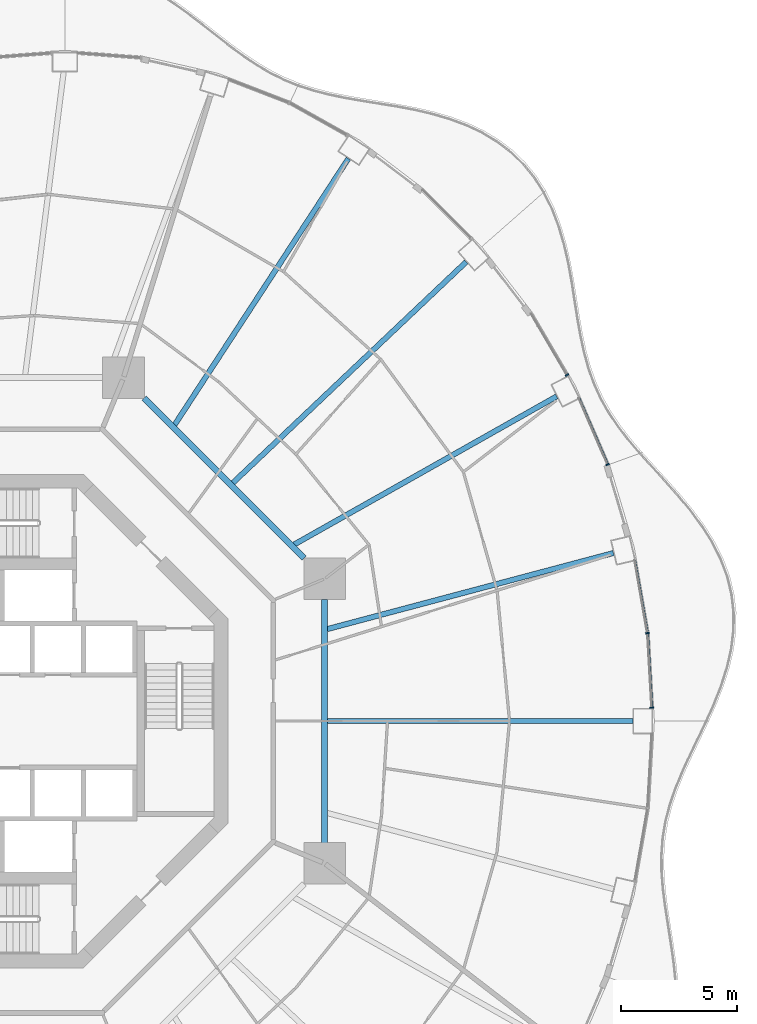
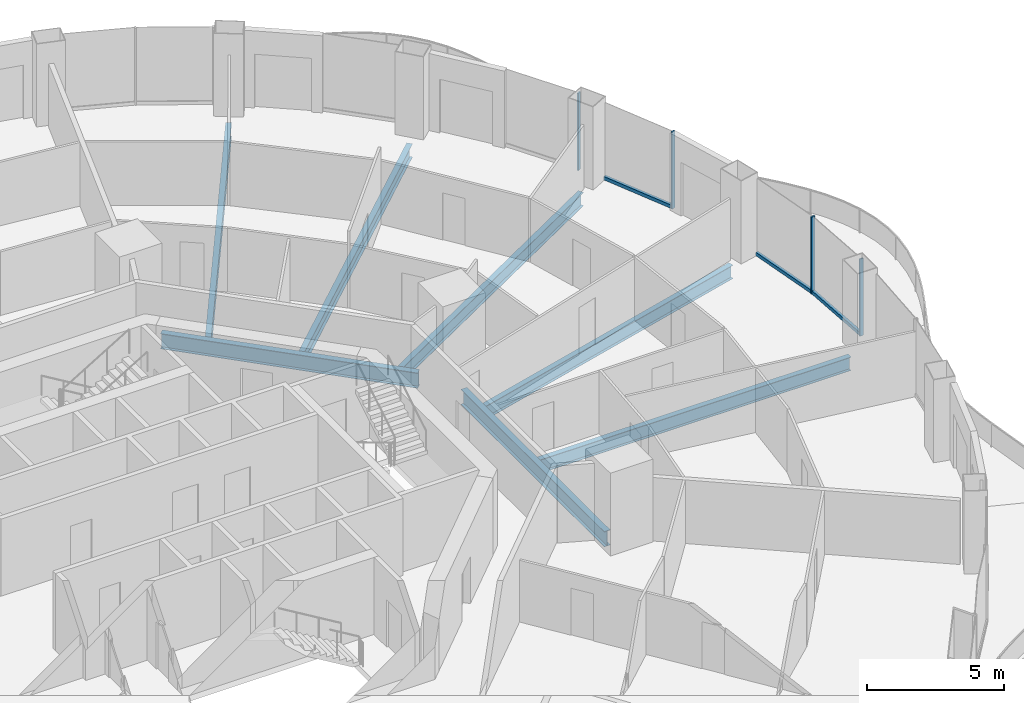
# One storey, part 8 of 20: 7 beams, 7 members, 4 elements without a shape of their own.
"""IFC4 building model written with IfcOpenShell, lengths in metres."""

from ifc_helpers import new_model, si_unit, direction, frame, origin, origin_2d, place, context, subcontext, project, spatial, rectangle, i_section, extrude, material, layer, layer_set, material_profile, profile_set, type_object, element, aggregate, save


model = new_model("IFC4")

# Units and contexts
model_context = context("Model", 3, precision=1e-05, world=origin(), true_north=direction((0.0, 1.0)))
body_context = subcontext(model_context, "Body", "Model", "MODEL_VIEW")
ifc_project = project(units=[si_unit("LENGTHUNIT", "METRE"), si_unit("AREAUNIT", "SQUARE_METRE"), si_unit("VOLUMEUNIT", "CUBIC_METRE"), si_unit("PLANEANGLEUNIT", "RADIAN"), si_unit("MASSUNIT", "GRAM", prefix="KILO")], contexts=[model_context])

# Site, building, storey
site_placement = place(None, origin())
site = spatial("IfcSite", under=ifc_project, at=site_placement, CompositionType="ELEMENT")
building_placement = place(site_placement, origin())
building = spatial("IfcBuilding", under=site, at=building_placement, Name="Nagisa Residences", CompositionType="ELEMENT")
storey_placement = place(building_placement, frame((0.0, 0.0, 165.89990234375)))
storey = spatial("IfcBuildingStorey", under=building, at=storey_placement, Name="L41", CompositionType="ELEMENT", Elevation=165.89990234375)

# Curtain wall, member
ifc_material_1 = material(Name="Concrete-coloured aluminium curtain wall system", Category="concrete")
ifc_layer = layer(ifc_material_1, 0.159912109375)
ifc_layer_set = layer_set([ifc_layer], Name="CW1 CURTAIN WALL")
curtain_wall_type = type_object("IfcCurtainWallType", Name="CW1 CURTAIN WALL", PredefinedType="NOTDEFINED", material=ifc_layer_set)
curtain_wall_1_placement = place(storey_placement, origin())
curtain_wall_1 = element("IfcCurtainWall", 1, at=curtain_wall_1_placement, inside=storey, type_object=curtain_wall_type, Name="cw:CW1:L41:00", PredefinedType="NOTDEFINED")
ifc_material_2 = material(Name="Concrete-coloured aluminium", Category="concrete")
ifc_material_profile_1 = material_profile(ifc_material_2, rectangle(XDim=0.159912109375, YDim=0.06005859375, at=origin_2d()), Name="CW1 MULLION 160x60")
ifc_profile_set_1 = profile_set([ifc_material_profile_1], Name="Concrete-coloured aluminium")
member_type_1 = type_object("IfcMemberType", Name="CW1 MULLION 160x60", PredefinedType="MULLION", material=ifc_profile_set_1)
member_1_placement = place(storey_placement, frame((28.86181640625, 0.574462890625, 0.0), z_axis=(0.0, 0.0, 1.0), x_axis=(-0.998345305184, -0.057503492216, 0.0)))
member_1 = element("IfcMember", 2, at=member_1_placement, type_object=member_type_1, Name="CW1 mullion", PredefinedType="MULLION", context=body_context, shape_type="SweptSolid", body=[
    extrude(rectangle(XDim=0.159912109375, YDim=0.06005859375, at=origin_2d()), origin(), (0.0, 0.0, 1.0), 3.440185546875),
])

curtain_wall_2_placement = place(storey_placement, origin())
curtain_wall_2 = element("IfcCurtainWall", 3, at=curtain_wall_2_placement, inside=storey, type_object=curtain_wall_type, Name="cw:CW1:L41:01", PredefinedType="NOTDEFINED")
member_2_placement = place(storey_placement, frame((28.673828125, 3.78466796875, 0.0), z_axis=(0.0, 0.0, 1.0), x_axis=(-0.985063604377, -0.172190868898, 0.0)))
member_2 = element("IfcMember", 4, at=member_2_placement, type_object=member_type_1, Name="CW1 mullion", PredefinedType="MULLION", context=body_context, shape_type="SweptSolid", body=[
    extrude(rectangle(XDim=0.159912109375, YDim=0.06005859375, at=origin_2d()), origin(), (0.0, 0.0, 1.0), 3.440185546875),
])

curtain_wall_3_placement = place(storey_placement, origin())
curtain_wall_3 = element("IfcCurtainWall", 5, at=curtain_wall_3_placement, inside=storey, type_object=curtain_wall_type, Name="cw:CW1:L41:03", PredefinedType="NOTDEFINED")
member_3_placement = place(storey_placement, frame((26.9580078125, 11.045654296875, 0.0), z_axis=(0.0, 0.0, 1.0), x_axis=(-0.917543276295, -0.397635934147, 0.0)))
member_3 = element("IfcMember", 6, at=member_3_placement, type_object=member_type_1, Name="CW1 mullion", PredefinedType="MULLION", context=body_context, shape_type="SweptSolid", body=[
    extrude(rectangle(XDim=0.159912109375, YDim=0.06005859375, at=origin_2d()), origin(), (0.0, 0.0, 1.0), 3.440185546875),
])

curtain_wall_4_placement = place(storey_placement, origin())
curtain_wall_4 = element("IfcCurtainWall", 7, at=curtain_wall_4_placement, inside=storey, type_object=curtain_wall_type, Name="cw:CW1:L41:04", PredefinedType="NOTDEFINED")
member_4_placement = place(storey_placement, frame((25.212646484375, 14.897216796875, 0.0), z_axis=(0.0, 0.0, 1.0), x_axis=(-0.862328898214, -0.506348567002, 0.0)))
member_4 = element("IfcMember", 8, at=member_4_placement, type_object=member_type_1, Name="CW1 mullion", PredefinedType="MULLION", context=body_context, shape_type="SweptSolid", body=[
    extrude(rectangle(XDim=0.159912109375, YDim=0.06005859375, at=origin_2d()), origin(), (0.0, 0.0, 1.0), 3.440185546875),
])
aggregate(curtain_wall_4, [member_4])

# Member
ifc_material_3 = material(Name="Concrete-coloured aluminium", Category="concrete")
ifc_material_profile_2 = material_profile(ifc_material_3, rectangle(XDim=0.1201171875, YDim=0.14990234375, at=origin_2d()), Name="CW1 TRANSOM 120x150")
ifc_profile_set_2 = profile_set([ifc_material_profile_2], Name="Concrete-coloured aluminium")
member_type_2 = type_object("IfcMemberType", Name="CW1 TRANSOM 120x150", PredefinedType="USERDEFINED", material=ifc_profile_set_2)
member_5_placement = place(storey_placement, frame((28.863525390625, 0.54443359375, 0.0751953125), z_axis=(-0.057528345118, 0.998343873376, 0.0), x_axis=(-0.998343873376, -0.057528345118, 0.0)))
member_5 = element("IfcMember", 9, at=member_5_placement, type_object=member_type_2, Name="CW1 transom", ObjectType="TRANSOM", PredefinedType="USERDEFINED", context=body_context, shape_type="SweptSolid", body=[
    extrude(rectangle(XDim=0.1201171875, YDim=0.14990234375, at=origin_2d()), origin(), (0.0, 0.0, 1.0), 3.225341796875),
])

aggregate(curtain_wall_1, [member_1, member_5])

member_6_placement = place(storey_placement, frame((28.67919921875, 3.755126953125, 0.0751953125), z_axis=(-0.172236453102, 0.98505563509, 0.0), x_axis=(-0.98505563509, -0.172236453102, 0.0)))
member_6 = element("IfcMember", 10, at=member_6_placement, type_object=member_type_2, Name="CW1 transom", ObjectType="TRANSOM", PredefinedType="USERDEFINED", context=body_context, shape_type="SweptSolid", body=[
    extrude(rectangle(XDim=0.1201171875, YDim=0.14990234375, at=origin_2d()), origin(), (0.0, 0.0, 1.0), 3.210693359375),
])

aggregate(curtain_wall_2, [member_2, member_6])

member_7_placement = place(storey_placement, frame((26.969970703125, 11.01806640625, 0.0751953125), z_axis=(-0.397592173732, 0.917562239517, 0.0), x_axis=(-0.917562239517, -0.397592173732, 0.0)))
member_7 = element("IfcMember", 11, at=member_7_placement, type_object=member_type_2, Name="CW1 transom", ObjectType="TRANSOM", PredefinedType="USERDEFINED", context=body_context, shape_type="SweptSolid", body=[
    extrude(rectangle(XDim=0.1201171875, YDim=0.14990234375, at=origin_2d()), origin(), (0.0, 0.0, 1.0), 3.14208984375),
])

aggregate(curtain_wall_3, [member_3, member_7])

# Beams
ifc_material_4 = material(Name="Steel ASTM A572 Gr 50", Category="steel")
ifc_material_profile_3 = material_profile(ifc_material_4, i_section(OverallWidth=0.25390625, OverallDepth=0.68408203125, WebThickness=0.012451171875, FlangeThickness=0.018798828125, at=origin_2d()), Name="W690x140")
ifc_profile_set_3 = profile_set([ifc_material_profile_3], Name="Steel ASTM A572 Gr 50")
beam_type_1 = type_object("IfcBeamType", Name="Inner ring beam W690x140", PredefinedType="BEAM", material=ifc_profile_set_3)
beam_1_placement = place(storey_placement, frame((13.896240234375, 7.0087890625, -0.601806640625), z_axis=(-0.707106781187, 0.707106781187, 0.0), x_axis=(-0.707106781187, -0.707106781187, 0.0)))
element("IfcBeam", 12, at=beam_1_placement, inside=storey, type_object=beam_type_1, Name="beam:L41:ib1", PredefinedType="BEAM", context=body_context, shape_type="SweptSolid", body=[
    extrude(i_section(OverallWidth=0.25390625, OverallDepth=0.68408203125, WebThickness=0.012451171875, FlangeThickness=0.018798828125, at=origin_2d()), origin(), (0.0, 0.0, 1.0), 9.740234375),
])
beam_2_placement = place(storey_placement, frame((14.781982421875, -5.242919921875, -0.601806640625), z_axis=(0.0, 1.0, 0.0), x_axis=(-1.0, 0.0, 0.0)))
element("IfcBeam", 13, at=beam_2_placement, inside=storey, type_object=beam_type_1, Name="beam:L41:ib8", PredefinedType="BEAM", context=body_context, shape_type="SweptSolid", body=[
    extrude(i_section(OverallWidth=0.25390625, OverallDepth=0.68408203125, WebThickness=0.012451171875, FlangeThickness=0.018798828125, at=origin_2d()), origin(), (0.0, 0.0, 1.0), 10.48583984375),
])
ifc_material_5 = material(Name="Steel ASTM A572 Gr 50", Category="steel")
ifc_material_profile_4 = material_profile(ifc_material_5, i_section(OverallWidth=0.22802734375, OverallDepth=0.60302734375, WebThickness=0.010498046875, FlangeThickness=0.014892578125, at=origin_2d()), Name="W610x101")
ifc_profile_set_4 = profile_set([ifc_material_profile_4], Name="Steel ASTM A572 Gr 50")
beam_type_2 = type_object("IfcBeamType", Name="Radial beam W610x101", PredefinedType="BEAM", material=ifc_profile_set_4)
beam_3_placement = place(storey_placement, frame((28.044921875, 0.0, -0.5615234375), z_axis=(-1.0, 0.0, 0.0), x_axis=(0.0, -1.0, 0.0)))
element("IfcBeam", 14, at=beam_3_placement, inside=storey, type_object=beam_type_2, Name="beam:L41:rb01", PredefinedType="BEAM", context=body_context, shape_type="SweptSolid", body=[
    extrude(i_section(OverallWidth=0.22802734375, OverallDepth=0.60302734375, WebThickness=0.010498046875, FlangeThickness=0.014892578125, at=origin_2d()), origin(), (0.0, 0.0, 1.0), 13.15576171875),
])
beam_4_placement = place(storey_placement, frame((27.211669921875, 7.2333984375, -0.5615234375), z_axis=(-0.966439308202, -0.256895043864, 0.0), x_axis=(0.256895043864, -0.966439308202, 0.0)))
element("IfcBeam", 15, at=beam_4_placement, inside=storey, type_object=beam_type_2, Name="beam:L41:rb02", PredefinedType="BEAM", context=body_context, shape_type="SweptSolid", body=[
    extrude(i_section(OverallWidth=0.22802734375, OverallDepth=0.60302734375, WebThickness=0.010498046875, FlangeThickness=0.014892578125, at=origin_2d()), origin(), (0.0, 0.0, 1.0), 12.75),
])
beam_5_placement = place(storey_placement, frame((24.767578125, 13.97607421875, -0.5615234375), z_axis=(-0.870902727173, -0.491455430128, 0.0), x_axis=(0.491455430128, -0.870902727173, 0.0)))
element("IfcBeam", 16, at=beam_5_placement, inside=storey, type_object=beam_type_2, Name="beam:L41:rb03", PredefinedType="BEAM", context=body_context, shape_type="SweptSolid", body=[
    extrude(i_section(OverallWidth=0.22802734375, OverallDepth=0.60302734375, WebThickness=0.010498046875, FlangeThickness=0.014892578125, at=origin_2d()), origin(), (0.0, 0.0, 1.0), 12.982177734375),
])
beam_6_placement = place(storey_placement, frame((20.876708984375, 19.768310546875, -0.5615234375), z_axis=(-0.726111007315, -0.68757749022, 0.0), x_axis=(0.68757749022, -0.726111007315, 0.0)))
element("IfcBeam", 17, at=beam_6_placement, inside=storey, type_object=beam_type_2, Name="beam:L41:rb04", PredefinedType="BEAM", context=body_context, shape_type="SweptSolid", body=[
    extrude(i_section(OverallWidth=0.22802734375, OverallDepth=0.60302734375, WebThickness=0.010498046875, FlangeThickness=0.014892578125, at=origin_2d()), origin(), (0.0, 0.0, 1.0), 13.8564453125),
])
beam_7_placement = place(storey_placement, frame((15.802490234375, 24.21337890625, -0.5615234375), z_axis=(-0.546542831659, -0.837431151297, 0.0), x_axis=(0.837431151297, -0.546542831659, 0.0)))
element("IfcBeam", 18, at=beam_7_placement, inside=storey, type_object=beam_type_2, Name="beam:L41:rb05", PredefinedType="BEAM", context=body_context, shape_type="SweptSolid", body=[
    extrude(i_section(OverallWidth=0.22802734375, OverallDepth=0.60302734375, WebThickness=0.010498046875, FlangeThickness=0.014892578125, at=origin_2d()), origin(), (0.0, 0.0, 1.0), 13.698974609375),
])

save(model, "model.ifc")
